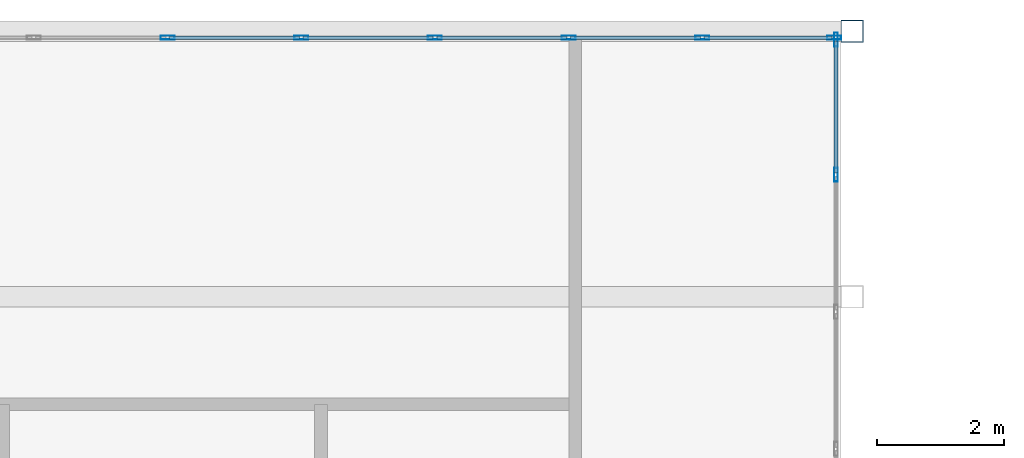
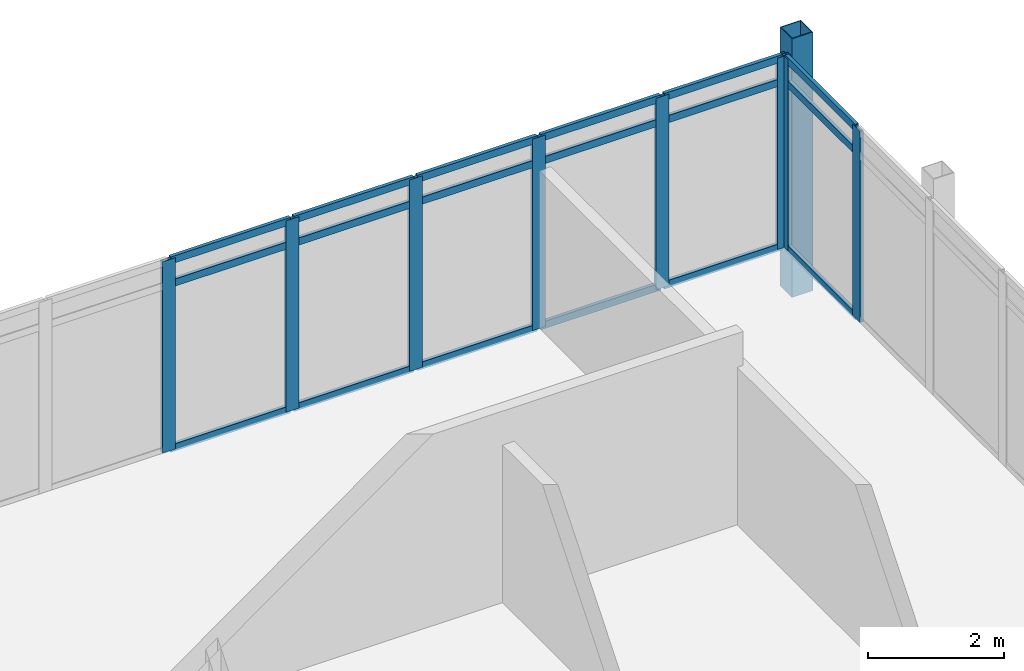
# One storey, part 17 of 25: 27 members, 2 elements without a shape of their own.
"""IFC4 building model written with IfcOpenShell, lengths in metres."""

from ifc_helpers import new_model, si_unit, direction, frame, origin, origin_2d, place, context, subcontext, project, spatial, hollow_rectangle, extrude, material, material_profile, profile_set, type_object, element, aggregate, save


model = new_model("IFC4")

# Units and contexts
model_context = context("Model", 3, precision=1e-05, world=origin(), true_north=direction((0.0, 1.0)))
body_context = subcontext(model_context, "Body", "Model", "MODEL_VIEW")
ifc_project = project(units=[si_unit("LENGTHUNIT", "METRE"), si_unit("AREAUNIT", "SQUARE_METRE"), si_unit("VOLUMEUNIT", "CUBIC_METRE"), si_unit("PLANEANGLEUNIT", "RADIAN"), si_unit("MASSUNIT", "GRAM", prefix="KILO")], contexts=[model_context])

# Site, building, storey
site_placement = place(None, origin())
site = spatial("IfcSite", under=ifc_project, at=site_placement, CompositionType="ELEMENT")
building_placement = place(site_placement, origin())
building = spatial("IfcBuilding", under=site, at=building_placement, Name="Ostrander Bayou Hotel Tower", CompositionType="ELEMENT")
storey_placement = place(building_placement, frame((0.0, 0.0, 233.25)))
storey = spatial("IfcBuildingStorey", under=building, at=storey_placement, Name="L58", CompositionType="ELEMENT", Elevation=233.25)

# Curtain wall, members
ifc_material_1 = material(Name="Aluminium and clear glass", Category="aluminium")
curtain_wall_type = type_object("IfcCurtainWallType", Name="CW-BAR glazed wall", PredefinedType="NOTDEFINED", material=ifc_material_1)
curtain_wall_1_placement = place(storey_placement, origin())
curtain_wall_1 = element("IfcCurtainWall", 1, at=curtain_wall_1_placement, inside=storey, type_object=curtain_wall_type, Name="CW-BAR L58:SB5N:T", PredefinedType="NOTDEFINED")
ifc_material_2 = material(Name="Aluminium", Category="aluminium")
ifc_material_profile_1 = material_profile(ifc_material_2, hollow_rectangle(XDim=0.06005859375, YDim=0.219970703125, WallThickness=0.00390625, at=origin_2d()))
ifc_profile_set_1 = profile_set([ifc_material_profile_1], Name="Aluminium")
member_type_1 = type_object("IfcMemberType", Name="CW-BR mullion 60 x 220 mm", PredefinedType="MULLION", material=ifc_profile_set_1)
member_1_placement = place(storey_placement, frame((0.0, 28.86669921875, 0.0), z_axis=(0.0, 0.0, 1.0), x_axis=(0.0, 1.0, 0.0)))
member_1 = element("IfcMember", 2, at=member_1_placement, type_object=member_type_1, Name="CW-BAR mullion 6", PredefinedType="MULLION", context=body_context, shape_type="SweptSolid", body=[
    extrude(hollow_rectangle(XDim=0.06005859375, YDim=0.219970703125, WallThickness=0.00390625, at=origin_2d()), origin(), (0.0, 0.0, 1.0), 3.449951171875),
])
member_2_placement = place(storey_placement, frame((2.1025390625, 28.86669921875, 0.0), z_axis=(0.0, 0.0, 1.0), x_axis=(0.0, 1.0, 0.0)))
member_2 = element("IfcMember", 3, at=member_2_placement, type_object=member_type_1, Name="CW-BAR mullion 7", PredefinedType="MULLION", context=body_context, shape_type="SweptSolid", body=[
    extrude(hollow_rectangle(XDim=0.06005859375, YDim=0.219970703125, WallThickness=0.00390625, at=origin_2d()), origin(), (0.0, 0.0, 1.0), 3.449951171875),
])
member_3_placement = place(storey_placement, frame((4.204833984375, 28.86669921875, 0.0), z_axis=(0.0, 0.0, 1.0), x_axis=(0.0, 1.0, 0.0)))
member_3 = element("IfcMember", 4, at=member_3_placement, type_object=member_type_1, Name="CW-BAR mullion 8", PredefinedType="MULLION", context=body_context, shape_type="SweptSolid", body=[
    extrude(hollow_rectangle(XDim=0.06005859375, YDim=0.219970703125, WallThickness=0.00390625, at=origin_2d()), origin(), (0.0, 0.0, 1.0), 3.449951171875),
])
member_4_placement = place(storey_placement, frame((6.307373046875, 28.86669921875, 0.0), z_axis=(0.0, 0.0, 1.0), x_axis=(0.0, 1.0, 0.0)))
member_4 = element("IfcMember", 5, at=member_4_placement, type_object=member_type_1, Name="CW-BAR mullion 9", PredefinedType="MULLION", context=body_context, shape_type="SweptSolid", body=[
    extrude(hollow_rectangle(XDim=0.06005859375, YDim=0.219970703125, WallThickness=0.00390625, at=origin_2d()), origin(), (0.0, 0.0, 1.0), 3.449951171875),
])
member_5_placement = place(storey_placement, frame((8.40966796875, 28.86669921875, 0.0), z_axis=(0.0, 0.0, 1.0), x_axis=(0.0, 1.0, 0.0)))
member_5 = element("IfcMember", 6, at=member_5_placement, type_object=member_type_1, Name="CW-BAR mullion 10", PredefinedType="MULLION", context=body_context, shape_type="SweptSolid", body=[
    extrude(hollow_rectangle(XDim=0.06005859375, YDim=0.219970703125, WallThickness=0.00390625, at=origin_2d()), origin(), (0.0, 0.0, 1.0), 3.449951171875),
])
member_6_placement = place(storey_placement, frame((10.482177734375, 28.86669921875, 0.0), z_axis=(0.0, 0.0, 1.0), x_axis=(0.0, 1.0, 0.0)))
member_6 = element("IfcMember", 7, at=member_6_placement, type_object=member_type_1, Name="CW-BAR mullion 11", PredefinedType="MULLION", context=body_context, shape_type="SweptSolid", body=[
    extrude(hollow_rectangle(XDim=0.06005859375, YDim=0.219970703125, WallThickness=0.00390625, at=origin_2d()), origin(), (0.0, 0.0, 1.0), 3.449951171875),
])

curtain_wall_2_placement = place(storey_placement, origin())
curtain_wall_2 = element("IfcCurtainWall", 8, at=curtain_wall_2_placement, inside=storey, type_object=curtain_wall_type, Name="CW-BAR L58:SB5N:W", PredefinedType="NOTDEFINED")
member_7_placement = place(storey_placement, frame((10.51220703125, 26.7109375, 0.0), z_axis=(0.0, 0.0, 1.0), x_axis=(-1.0, 0.0, 0.0)))
member_7 = element("IfcMember", 9, at=member_7_placement, type_object=member_type_1, Name="CW-BAR mullion 9", PredefinedType="MULLION", context=body_context, shape_type="SweptSolid", body=[
    extrude(hollow_rectangle(XDim=0.06005859375, YDim=0.219970703125, WallThickness=0.00390625, at=origin_2d()), origin(), (0.0, 0.0, 1.0), 3.449951171875),
])
member_8_placement = place(storey_placement, frame((10.51220703125, 28.836669921875, 0.0), z_axis=(0.0, 0.0, 1.0), x_axis=(-1.0, 0.0, 0.0)))
member_8 = element("IfcMember", 10, at=member_8_placement, type_object=member_type_1, Name="CW-BAR mullion 10", PredefinedType="MULLION", context=body_context, shape_type="SweptSolid", body=[
    extrude(hollow_rectangle(XDim=0.06005859375, YDim=0.219970703125, WallThickness=0.00390625, at=origin_2d()), origin(), (0.0, 0.0, 1.0), 3.449951171875),
])

# Member
ifc_material_3 = material(Name="Aluminium", Category="aluminium")
ifc_material_profile_2 = material_profile(ifc_material_3, hollow_rectangle(XDim=0.06005859375, YDim=0.1298828125, WallThickness=0.00390625, at=origin_2d()))
ifc_profile_set_2 = profile_set([ifc_material_profile_2], Name="Aluminium")
member_type_2 = type_object("IfcMemberType", Name="CW-BR transom 60 x 130 mm", PredefinedType="USERDEFINED", material=ifc_profile_set_2)
member_9_placement = place(storey_placement, frame((0.030029296875, 28.86669921875, 0.030029296875), z_axis=(1.0, 0.0, 0.0), x_axis=(0.0, 1.0, 0.0)))
member_9 = element("IfcMember", 11, at=member_9_placement, type_object=member_type_2, Name="CW-BAR transom 6.1", ObjectType="TRANSOM", PredefinedType="USERDEFINED", context=body_context, shape_type="SweptSolid", body=[
    extrude(hollow_rectangle(XDim=0.06005859375, YDim=0.1298828125, WallThickness=0.00390625, at=origin_2d()), origin(), (0.0, 0.0, 1.0), 2.04248046875),
])

member_10_placement = place(storey_placement, frame((0.030029296875, 28.86669921875, 3.0), z_axis=(1.0, 0.0, 0.0), x_axis=(0.0, 1.0, 0.0)))
member_10 = element("IfcMember", 12, at=member_10_placement, type_object=member_type_2, Name="CW-BAR transom 6.2", ObjectType="TRANSOM", PredefinedType="USERDEFINED", context=body_context, shape_type="SweptSolid", body=[
    extrude(hollow_rectangle(XDim=0.06005859375, YDim=0.1298828125, WallThickness=0.00390625, at=origin_2d()), origin(), (0.0, 0.0, 1.0), 2.04248046875),
])

member_11_placement = place(storey_placement, frame((0.030029296875, 28.86669921875, 3.419921875), z_axis=(1.0, 0.0, 0.0), x_axis=(0.0, 1.0, 0.0)))
member_11 = element("IfcMember", 13, at=member_11_placement, type_object=member_type_2, Name="CW-BAR transom 6.3", ObjectType="TRANSOM", PredefinedType="USERDEFINED", context=body_context, shape_type="SweptSolid", body=[
    extrude(hollow_rectangle(XDim=0.06005859375, YDim=0.1298828125, WallThickness=0.00390625, at=origin_2d()), origin(), (0.0, 0.0, 1.0), 2.04248046875),
])

member_12_placement = place(storey_placement, frame((2.13232421875, 28.86669921875, 0.030029296875), z_axis=(1.0, 0.0, 0.0), x_axis=(0.0, 1.0, 0.0)))
member_12 = element("IfcMember", 14, at=member_12_placement, type_object=member_type_2, Name="CW-BAR transom 7.1", ObjectType="TRANSOM", PredefinedType="USERDEFINED", context=body_context, shape_type="SweptSolid", body=[
    extrude(hollow_rectangle(XDim=0.06005859375, YDim=0.1298828125, WallThickness=0.00390625, at=origin_2d()), origin(), (0.0, 0.0, 1.0), 2.04248046875),
])

member_13_placement = place(storey_placement, frame((2.13232421875, 28.86669921875, 3.0), z_axis=(1.0, 0.0, 0.0), x_axis=(0.0, 1.0, 0.0)))
member_13 = element("IfcMember", 15, at=member_13_placement, type_object=member_type_2, Name="CW-BAR transom 7.2", ObjectType="TRANSOM", PredefinedType="USERDEFINED", context=body_context, shape_type="SweptSolid", body=[
    extrude(hollow_rectangle(XDim=0.06005859375, YDim=0.1298828125, WallThickness=0.00390625, at=origin_2d()), origin(), (0.0, 0.0, 1.0), 2.04248046875),
])

member_14_placement = place(storey_placement, frame((2.13232421875, 28.86669921875, 3.419921875), z_axis=(1.0, 0.0, 0.0), x_axis=(0.0, 1.0, 0.0)))
member_14 = element("IfcMember", 16, at=member_14_placement, type_object=member_type_2, Name="CW-BAR transom 7.3", ObjectType="TRANSOM", PredefinedType="USERDEFINED", context=body_context, shape_type="SweptSolid", body=[
    extrude(hollow_rectangle(XDim=0.06005859375, YDim=0.1298828125, WallThickness=0.00390625, at=origin_2d()), origin(), (0.0, 0.0, 1.0), 2.04248046875),
])

member_15_placement = place(storey_placement, frame((4.23486328125, 28.86669921875, 0.030029296875), z_axis=(1.0, 0.0, 0.0), x_axis=(0.0, 1.0, 0.0)))
member_15 = element("IfcMember", 17, at=member_15_placement, type_object=member_type_2, Name="CW-BAR transom 8.1", ObjectType="TRANSOM", PredefinedType="USERDEFINED", context=body_context, shape_type="SweptSolid", body=[
    extrude(hollow_rectangle(XDim=0.06005859375, YDim=0.1298828125, WallThickness=0.00390625, at=origin_2d()), origin(), (0.0, 0.0, 1.0), 2.04248046875),
])

member_16_placement = place(storey_placement, frame((4.23486328125, 28.86669921875, 3.0), z_axis=(1.0, 0.0, 0.0), x_axis=(0.0, 1.0, 0.0)))
member_16 = element("IfcMember", 18, at=member_16_placement, type_object=member_type_2, Name="CW-BAR transom 8.2", ObjectType="TRANSOM", PredefinedType="USERDEFINED", context=body_context, shape_type="SweptSolid", body=[
    extrude(hollow_rectangle(XDim=0.06005859375, YDim=0.1298828125, WallThickness=0.00390625, at=origin_2d()), origin(), (0.0, 0.0, 1.0), 2.04248046875),
])

member_17_placement = place(storey_placement, frame((4.23486328125, 28.86669921875, 3.419921875), z_axis=(1.0, 0.0, 0.0), x_axis=(0.0, 1.0, 0.0)))
member_17 = element("IfcMember", 19, at=member_17_placement, type_object=member_type_2, Name="CW-BAR transom 8.3", ObjectType="TRANSOM", PredefinedType="USERDEFINED", context=body_context, shape_type="SweptSolid", body=[
    extrude(hollow_rectangle(XDim=0.06005859375, YDim=0.1298828125, WallThickness=0.00390625, at=origin_2d()), origin(), (0.0, 0.0, 1.0), 2.04248046875),
])

member_18_placement = place(storey_placement, frame((6.33740234375, 28.86669921875, 0.030029296875), z_axis=(1.0, 0.0, 0.0), x_axis=(0.0, 1.0, 0.0)))
member_18 = element("IfcMember", 20, at=member_18_placement, type_object=member_type_2, Name="CW-BAR transom 9.1", ObjectType="TRANSOM", PredefinedType="USERDEFINED", context=body_context, shape_type="SweptSolid", body=[
    extrude(hollow_rectangle(XDim=0.06005859375, YDim=0.1298828125, WallThickness=0.00390625, at=origin_2d()), origin(), (0.0, 0.0, 1.0), 2.042236328125),
])

member_19_placement = place(storey_placement, frame((6.33740234375, 28.86669921875, 3.0), z_axis=(1.0, 0.0, 0.0), x_axis=(0.0, 1.0, 0.0)))
member_19 = element("IfcMember", 21, at=member_19_placement, type_object=member_type_2, Name="CW-BAR transom 9.2", ObjectType="TRANSOM", PredefinedType="USERDEFINED", context=body_context, shape_type="SweptSolid", body=[
    extrude(hollow_rectangle(XDim=0.06005859375, YDim=0.1298828125, WallThickness=0.00390625, at=origin_2d()), origin(), (0.0, 0.0, 1.0), 2.042236328125),
])

member_20_placement = place(storey_placement, frame((6.33740234375, 28.86669921875, 3.419921875), z_axis=(1.0, 0.0, 0.0), x_axis=(0.0, 1.0, 0.0)))
member_20 = element("IfcMember", 22, at=member_20_placement, type_object=member_type_2, Name="CW-BAR transom 9.3", ObjectType="TRANSOM", PredefinedType="USERDEFINED", context=body_context, shape_type="SweptSolid", body=[
    extrude(hollow_rectangle(XDim=0.06005859375, YDim=0.1298828125, WallThickness=0.00390625, at=origin_2d()), origin(), (0.0, 0.0, 1.0), 2.042236328125),
])

member_21_placement = place(storey_placement, frame((8.439697265625, 28.86669921875, 0.030029296875), z_axis=(1.0, 0.0, 0.0), x_axis=(0.0, 1.0, 0.0)))
member_21 = element("IfcMember", 23, at=member_21_placement, type_object=member_type_2, Name="CW-BAR transom 10.1", ObjectType="TRANSOM", PredefinedType="USERDEFINED", context=body_context, shape_type="SweptSolid", body=[
    extrude(hollow_rectangle(XDim=0.06005859375, YDim=0.1298828125, WallThickness=0.00390625, at=origin_2d()), origin(), (0.0, 0.0, 1.0), 2.012451171875),
])

member_22_placement = place(storey_placement, frame((8.439697265625, 28.86669921875, 3.0), z_axis=(1.0, 0.0, 0.0), x_axis=(0.0, 1.0, 0.0)))
member_22 = element("IfcMember", 24, at=member_22_placement, type_object=member_type_2, Name="CW-BAR transom 10.2", ObjectType="TRANSOM", PredefinedType="USERDEFINED", context=body_context, shape_type="SweptSolid", body=[
    extrude(hollow_rectangle(XDim=0.06005859375, YDim=0.1298828125, WallThickness=0.00390625, at=origin_2d()), origin(), (0.0, 0.0, 1.0), 2.012451171875),
])

member_23_placement = place(storey_placement, frame((8.439697265625, 28.86669921875, 3.419921875), z_axis=(1.0, 0.0, 0.0), x_axis=(0.0, 1.0, 0.0)))
member_23 = element("IfcMember", 25, at=member_23_placement, type_object=member_type_2, Name="CW-BAR transom 10.3", ObjectType="TRANSOM", PredefinedType="USERDEFINED", context=body_context, shape_type="SweptSolid", body=[
    extrude(hollow_rectangle(XDim=0.06005859375, YDim=0.1298828125, WallThickness=0.00390625, at=origin_2d()), origin(), (0.0, 0.0, 1.0), 2.012451171875),
])

aggregate(curtain_wall_1, [member_1, member_2, member_3, member_4, member_5, member_6, member_9, member_10, member_11, member_12, member_13, member_14, member_15, member_16, member_17, member_18, member_19, member_20, member_21, member_22, member_23])

member_24_placement = place(storey_placement, frame((10.51220703125, 26.740966796875, 0.030029296875), z_axis=(0.0, 1.0, 0.0), x_axis=(-1.0, 0.0, 0.0)))
member_24 = element("IfcMember", 26, at=member_24_placement, type_object=member_type_2, Name="CW-BAR transom 9.1", ObjectType="TRANSOM", PredefinedType="USERDEFINED", context=body_context, shape_type="SweptSolid", body=[
    extrude(hollow_rectangle(XDim=0.06005859375, YDim=0.1298828125, WallThickness=0.00390625, at=origin_2d()), origin(), (0.0, 0.0, 1.0), 2.065673828125),
])

member_25_placement = place(storey_placement, frame((10.51220703125, 26.740966796875, 3.0), z_axis=(0.0, 1.0, 0.0), x_axis=(-1.0, 0.0, 0.0)))
member_25 = element("IfcMember", 27, at=member_25_placement, type_object=member_type_2, Name="CW-BAR transom 9.2", ObjectType="TRANSOM", PredefinedType="USERDEFINED", context=body_context, shape_type="SweptSolid", body=[
    extrude(hollow_rectangle(XDim=0.06005859375, YDim=0.1298828125, WallThickness=0.00390625, at=origin_2d()), origin(), (0.0, 0.0, 1.0), 2.065673828125),
])

member_26_placement = place(storey_placement, frame((10.51220703125, 26.740966796875, 3.419921875), z_axis=(0.0, 1.0, 0.0), x_axis=(-1.0, 0.0, 0.0)))
member_26 = element("IfcMember", 28, at=member_26_placement, type_object=member_type_2, Name="CW-BAR transom 9.3", ObjectType="TRANSOM", PredefinedType="USERDEFINED", context=body_context, shape_type="SweptSolid", body=[
    extrude(hollow_rectangle(XDim=0.06005859375, YDim=0.1298828125, WallThickness=0.00390625, at=origin_2d()), origin(), (0.0, 0.0, 1.0), 2.065673828125),
])

aggregate(curtain_wall_2, [member_7, member_8, member_24, member_25, member_26])

ifc_material_4 = material(Name="Steel ASTM A500 Gr C", Category="steel")
ifc_material_profile_3 = material_profile(ifc_material_4, hollow_rectangle(XDim=0.355712890625, YDim=0.355712890625, WallThickness=0.0146484375, at=origin_2d()))
ifc_profile_set_3 = profile_set([ifc_material_profile_3], Name="Steel ASTM A500 Gr C")
member_type_3 = type_object("IfcMemberType", Name="TH1 bar hanger HSS14x14x5/8", PredefinedType="POST", material=ifc_profile_set_3)
member_27_placement = place(storey_placement, frame((10.764892578125, 28.966552734375, -0.9111328125), z_axis=(0.0, 0.0, 1.0), x_axis=(1.0, 0.0, 0.0)))
element("IfcMember", 29, at=member_27_placement, inside=storey, type_object=member_type_3, Name="TH1 SB5WB H1-4", PredefinedType="POST", context=body_context, shape_type="SweptSolid", body=[
    extrude(hollow_rectangle(XDim=0.355712890625, YDim=0.355712890625, WallThickness=0.0146484375, at=origin_2d()), origin(), (0.0, 0.0, 1.0), 4.6611328125),
])

save(model, "model.ifc")
